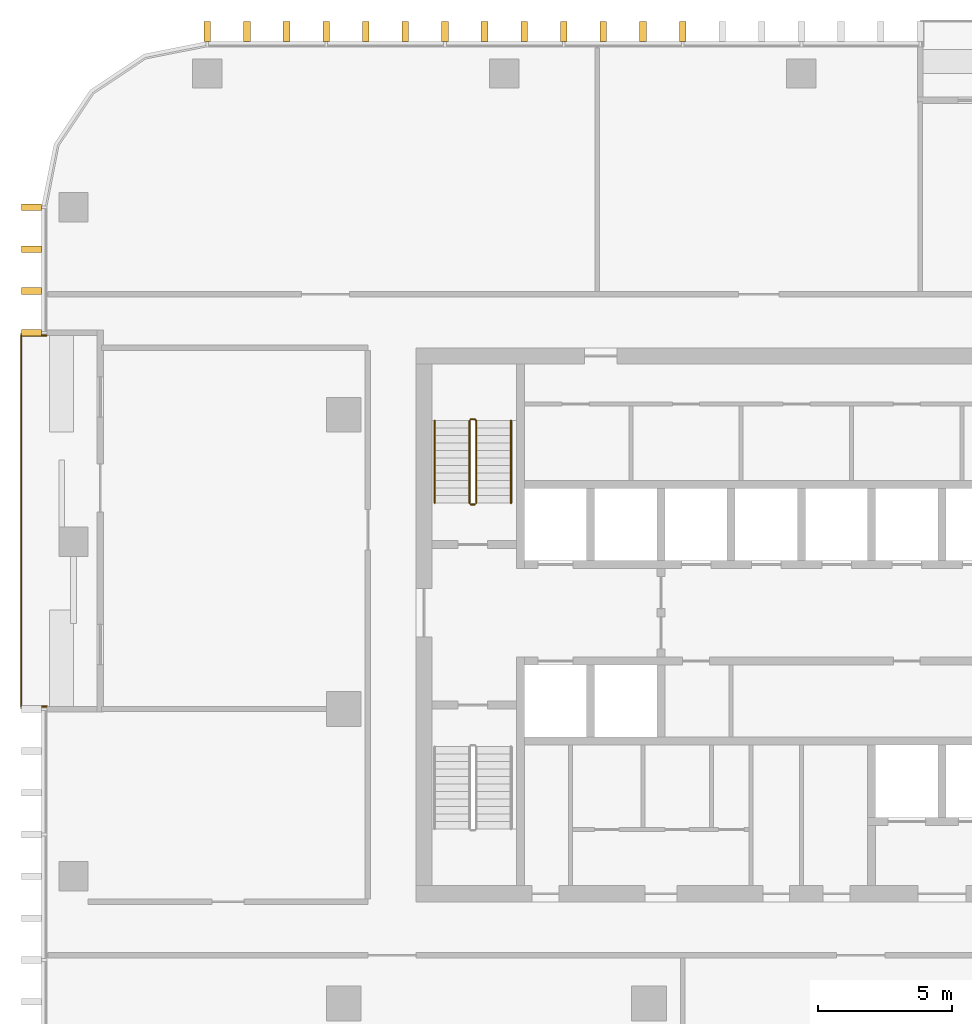
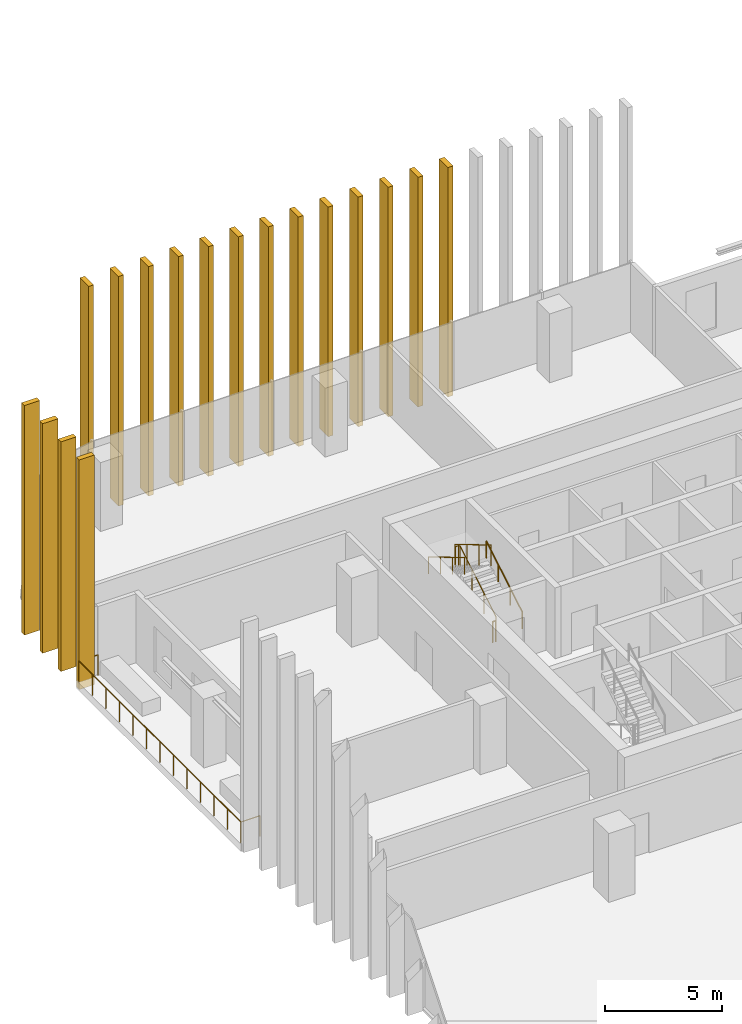
# One storey, part 14 of 16: 17 shading devices, 6 railings.
"""IFC4 building model written with IfcOpenShell, lengths in metres."""

from ifc_helpers import new_model, si_unit, direction, frame, origin, origin_2d, place, context, subcontext, project, spatial, rectangle, circle, extrude, material, type_object, element, save


model = new_model("IFC4")

# Units and contexts
model_context = context("Model", 3, precision=1e-05, world=origin(), true_north=direction((0.0, 1.0)))
body_context = subcontext(model_context, "Body", "Model", "MODEL_VIEW")
ifc_project = project(units=[si_unit("LENGTHUNIT", "METRE"), si_unit("AREAUNIT", "SQUARE_METRE"), si_unit("VOLUMEUNIT", "CUBIC_METRE"), si_unit("PLANEANGLEUNIT", "RADIAN"), si_unit("MASSUNIT", "GRAM", prefix="KILO")], contexts=[model_context])

# Site, building, storey
site_placement = place(None, origin())
site = spatial("IfcSite", under=ifc_project, at=site_placement, CompositionType="ELEMENT")
building_placement = place(site_placement, origin())
building = spatial("IfcBuilding", under=site, at=building_placement, Name="Mopane Tessera Tower", CompositionType="ELEMENT")
storey_placement = place(building_placement, frame((0.0, 0.0, 235.0)))
storey = spatial("IfcBuildingStorey", under=building, at=storey_placement, Name="L50", CompositionType="ELEMENT", Elevation=235.0)

# Shading devices
ifc_material_1 = material(Name="Glazed ceramic tile")
shading_device_type = type_object("IfcShadingDeviceType", Name="Ceramic tile fin 750 x 250 mm", PredefinedType="USERDEFINED", material=ifc_material_1)
for number, where, z_axis, x_axis, name in (
    (1, (-4.43994140625, 25.324951171875, -0.39990234375), (0.0, 0.0, 1.0), (-1.0, 0.0, 0.0), "e:fin:L50:N:6:0"),
    (2, (-5.919921875, 25.324951171875, -0.39990234375), (0.0, 0.0, 1.0), (-1.0, 0.0, 0.0), "e:fin:L50:N:6:1"),
    (3, (-7.39990234375, 25.324951171875, -0.39990234375), (0.0, 0.0, 1.0), (-1.0, 0.0, 0.0), "e:fin:L50:N:6:2"),
    (4, (-8.8798828125, 25.324951171875, -0.39990234375), (0.0, 0.0, 1.0), (-1.0, 0.0, 0.0), "e:fin:L50:N:7:0"),
    (5, (-10.360107421875, 25.324951171875, -0.39990234375), (0.0, 0.0, 1.0), (-1.0, 0.0, 0.0), "e:fin:L50:N:7:1"),
    (6, (-11.840087890625, 25.324951171875, -0.39990234375), (0.0, 0.0, 1.0), (-1.0, 0.0, 0.0), "e:fin:L50:N:7:2"),
    (7, (-13.320068359375, 25.324951171875, -0.39990234375), (0.0, 0.0, 1.0), (-1.0, 0.0, 0.0), "e:fin:L50:N:8:0"),
    (8, (-14.800048828125, 25.324951171875, -0.39990234375), (0.0, 0.0, 1.0), (-1.0, 0.0, 0.0), "e:fin:L50:N:8:1"),
    (9, (-16.280029296875, 25.324951171875, -0.39990234375), (0.0, 0.0, 1.0), (-1.0, 0.0, 0.0), "e:fin:L50:N:8:2"),
    (10, (-17.760009765625, 25.324951171875, -0.39990234375), (0.0, 0.0, 1.0), (-1.0, 0.0, 0.0), "e:fin:L50:N:9:0"),
    (11, (-19.239990234375, 25.324951171875, -0.39990234375), (0.0, 0.0, 1.0), (-1.0, 0.0, 0.0), "e:fin:L50:N:9:1"),
    (12, (-20.719970703125, 25.324951171875, -0.39990234375), (0.0, 0.0, 1.0), (-1.0, 0.0, 0.0), "e:fin:L50:N:9:2"),
    (13, (-22.199951171875, 25.324951171875, -0.39990234375), (0.0, 0.0, 1.0), (-1.0, 0.0, 0.0), "e:fin:L50:N:9:3"),
    (14, (-28.77490234375, 18.75, -0.39990234375), (0.0, 0.0, 1.0), (0.0, -1.0, 0.0), "e:fin:L50:W:0:0"),
    (15, (-28.77490234375, 17.1875, -0.39990234375), (0.0, 0.0, 1.0), (0.0, -1.0, 0.0), "e:fin:L50:W:0:1"),
    (16, (-28.77490234375, 15.625, -0.39990234375), (0.0, 0.0, 1.0), (0.0, -1.0, 0.0), "e:fin:L50:W:0:2"),
    (17, (-28.77490234375, 14.0625, -0.39990234375), (0.0, 0.0, 1.0), (0.0, -1.0, 0.0), "e:fin:L50:W:0:3"),
):
    element("IfcShadingDevice", number, at=place(storey_placement, frame(where, z_axis=z_axis, x_axis=x_axis)), inside=storey, type_object=shading_device_type, Name=name, ObjectType="FIN", PredefinedType="USERDEFINED", context=body_context, shape_type="SweptSolid", body=[
        extrude(rectangle(XDim=0.25, YDim=0.75, at=origin_2d()), origin(), (0.0, 0.0, 1.0), 12.0),
    ])

# Railings
ifc_material_2 = material(Name="Powder-coated steel balustrade", Category="steel")
railing_type_1 = type_object("IfcRailingType", Name="Escape stair guard 1100 mm", PredefinedType="GUARDRAIL", material=ifc_material_2)
railing_1_placement = place(storey_placement, frame((-12.14990234375, 7.699951171875, 0.166748046875)))
element("IfcRailing", 18, at=railing_1_placement, inside=storey, type_object=railing_type_1, Name="L50 ST2 stair guard 1", PredefinedType="GUARDRAIL", context=body_context, shape_type="SweptSolid", body=[
    extrude(circle(Radius=0.02392578125, at=origin_2d()), frame((0.0, 0.0, 1.076171875), z_axis=(0.0, 0.859308565015, 0.511457515432), x_axis=(-1.0, 0.0, 0.0)), (0.0, 0.0, 1.0), 3.58447265625),
    extrude(circle(Radius=0.02392578125, at=origin_2d()), frame((0.0, 3.080078125, 2.9091796875), z_axis=(-0.707106781187, 0.707106781187, 0.0), x_axis=(-0.707106781187, -0.707106781187, 0.0)), (0.0, 0.0, 1.0), 0.07080078125),
    extrude(circle(Radius=0.02392578125, at=origin_2d()), frame((-0.050048828125, 3.130126953125, 2.9091796875), z_axis=(-1.0, 0.0, 0.0), x_axis=(0.0, -1.0, 0.0)), (0.0, 0.0, 1.0), 0.150146484375),
    extrude(circle(Radius=0.02099609375, at=origin_2d()), origin(), (0.0, 0.0, 1.0), 1.052001953125),
    extrude(circle(Radius=0.02099609375, at=origin_2d()), frame((0.0, 1.026611328125, 0.611083984375)), (0.0, 0.0, 1.0), 1.052001953125),
    extrude(circle(Radius=0.02099609375, at=origin_2d()), frame((0.0, 2.053466796875, 1.22216796875)), (0.0, 0.0, 1.0), 1.052001953125),
    extrude(circle(Radius=0.02099609375, at=origin_2d()), frame((0.0, 3.080078125, 1.833251953125)), (0.0, 0.0, 1.0), 1.052001953125),
    extrude(circle(Radius=0.02099609375, at=origin_2d()), frame((-0.050048828125, 3.130126953125, 1.833251953125)), (0.0, 0.0, 1.0), 1.052001953125),
    extrude(circle(Radius=0.02099609375, at=origin_2d()), frame((-0.2001953125, 3.130126953125, 1.833251953125)), (0.0, 0.0, 1.0), 1.052001953125),
])
railing_2_placement = place(storey_placement, frame((-12.39990234375, 10.780029296875, 2.166748046875)))
element("IfcRailing", 19, at=railing_2_placement, inside=storey, type_object=railing_type_1, Name="L50 ST2 stair guard 2", PredefinedType="GUARDRAIL", context=body_context, shape_type="SweptSolid", body=[
    extrude(circle(Radius=0.02392578125, at=origin_2d()), frame((0.0, 0.0, 1.076171875), z_axis=(0.0, -0.859308565015, 0.511457515432), x_axis=(1.0, 0.0, 0.0)), (0.0, 0.0, 1.0), 3.58447265625),
    extrude(circle(Radius=0.02099609375, at=origin_2d()), origin(), (0.0, 0.0, 1.0), 1.052001953125),
    extrude(circle(Radius=0.02099609375, at=origin_2d()), frame((0.0, -1.026611328125, 0.611083984375)), (0.0, 0.0, 1.0), 1.052001953125),
    extrude(circle(Radius=0.02099609375, at=origin_2d()), frame((0.0, -2.053466796875, 1.22216796875)), (0.0, 0.0, 1.0), 1.052001953125),
    extrude(circle(Radius=0.02099609375, at=origin_2d()), frame((0.0, -3.080078125, 1.833251953125)), (0.0, 0.0, 1.0), 1.052001953125),
])
railing_3_placement = place(storey_placement, frame((-12.199951171875, 7.64990234375, 0.0)))
element("IfcRailing", 20, at=railing_3_placement, inside=storey, type_object=railing_type_1, Name="L50 ST2 stair guard 3", PredefinedType="GUARDRAIL", context=body_context, shape_type="SweptSolid", body=[
    extrude(circle(Radius=0.02392578125, at=origin_2d()), frame((0.0, 0.0, 1.076171875), z_axis=(-1.0, 0.0, 0.0), x_axis=(0.0, -1.0, 0.0)), (0.0, 0.0, 1.0), 0.150146484375),
    extrude(circle(Radius=0.02099609375, at=origin_2d()), origin(), (0.0, 0.0, 1.0), 1.052001953125),
    extrude(circle(Radius=0.02099609375, at=origin_2d()), frame((-0.150146484375, 0.0, 0.0)), (0.0, 0.0, 1.0), 1.052001953125),
])
ifc_material_3 = material(Name="Powder-coated steel balustrade", Category="steel")
railing_type_2 = type_object("IfcRailingType", Name="Escape stair handrail 900 mm", PredefinedType="HANDRAIL", material=ifc_material_3)
railing_4_placement = place(storey_placement, frame((-10.85009765625, 7.699951171875, 0.166748046875)))
element("IfcRailing", 21, at=railing_4_placement, inside=storey, type_object=railing_type_2, Name="L50 ST2 stair handrail 1", PredefinedType="HANDRAIL", context=body_context, shape_type="SweptSolid", body=[
    extrude(circle(Radius=0.02392578125, at=origin_2d()), frame((0.0, 0.0, 0.8759765625), z_axis=(0.0, 0.859308565015, 0.511457515432), x_axis=(-1.0, 0.0, 0.0)), (0.0, 0.0, 1.0), 3.58447265625),
    extrude(circle(Radius=0.02099609375, at=origin_2d()), origin(), (0.0, 0.0, 1.0), 0.851806640625),
    extrude(circle(Radius=0.02099609375, at=origin_2d()), frame((0.0, 1.026611328125, 0.611083984375)), (0.0, 0.0, 1.0), 0.851806640625),
    extrude(circle(Radius=0.02099609375, at=origin_2d()), frame((0.0, 2.053466796875, 1.22216796875)), (0.0, 0.0, 1.0), 0.851806640625),
    extrude(circle(Radius=0.02099609375, at=origin_2d()), frame((0.0, 3.080078125, 1.833251953125)), (0.0, 0.0, 1.0), 0.851806640625),
])
railing_5_placement = place(storey_placement, frame((-13.699951171875, 10.780029296875, 2.166748046875)))
element("IfcRailing", 22, at=railing_5_placement, inside=storey, type_object=railing_type_2, Name="L50 ST2 stair handrail 2", PredefinedType="HANDRAIL", context=body_context, shape_type="SweptSolid", body=[
    extrude(circle(Radius=0.02392578125, at=origin_2d()), frame((0.0, 0.0, 0.8759765625), z_axis=(0.0, -0.859308565015, 0.511457515432), x_axis=(1.0, 0.0, 0.0)), (0.0, 0.0, 1.0), 3.58447265625),
    extrude(circle(Radius=0.02099609375, at=origin_2d()), origin(), (0.0, 0.0, 1.0), 0.851806640625),
    extrude(circle(Radius=0.02099609375, at=origin_2d()), frame((0.0, -1.026611328125, 0.611083984375)), (0.0, 0.0, 1.0), 0.851806640625),
    extrude(circle(Radius=0.02099609375, at=origin_2d()), frame((0.0, -2.053466796875, 1.22216796875)), (0.0, 0.0, 1.0), 0.851806640625),
    extrude(circle(Radius=0.02099609375, at=origin_2d()), frame((0.0, -3.080078125, 1.833251953125)), (0.0, 0.0, 1.0), 0.851806640625),
])
ifc_material_4 = material(Name="Stainless steel S316", Category="steel")
railing_type_3 = type_object("IfcRailingType", Name="Terrace guard 1100", PredefinedType="GUARDRAIL", material=ifc_material_4)
railing_6_placement = place(storey_placement, frame((-28.199951171875, 13.96240234375, 0.0)))
element("IfcRailing", 23, at=railing_6_placement, inside=storey, type_object=railing_type_3, Name="e:nw:L50:N3:guard", PredefinedType="GUARDRAIL", context=body_context, shape_type="SweptSolid", body=[
    extrude(circle(Radius=0.02392578125, at=origin_2d()), frame((0.0, 0.0, 1.076171875), z_axis=(-1.0, 0.0, 0.0), x_axis=(0.0, -1.0, 0.0)), (0.0, 0.0, 1.0), 0.949951171875),
    extrude(circle(Radius=0.02392578125, at=origin_2d()), frame((-0.949951171875, 0.0, 1.076171875), z_axis=(0.0, -1.0, 0.0), x_axis=(1.0, 0.0, 0.0)), (0.0, 0.0, 1.0), 13.8623046875),
    extrude(circle(Radius=0.02392578125, at=origin_2d()), frame((-0.949951171875, -13.8623046875, 1.076171875), z_axis=(1.0, 0.0, 0.0), x_axis=(0.0, 1.0, 0.0)), (0.0, 0.0, 1.0), 0.949951171875),
    extrude(circle(Radius=0.02099609375, at=origin_2d()), origin(), (0.0, 0.0, 1.0), 1.052001953125),
    extrude(circle(Radius=0.02099609375, at=origin_2d()), frame((-0.949951171875, 0.0, 0.0)), (0.0, 0.0, 1.0), 1.052001953125),
    extrude(circle(Radius=0.02099609375, at=origin_2d()), frame((-0.949951171875, -1.1552734375, 0.0)), (0.0, 0.0, 1.0), 1.052001953125),
    extrude(circle(Radius=0.02099609375, at=origin_2d()), frame((-0.949951171875, -2.310302734375, 0.0)), (0.0, 0.0, 1.0), 1.052001953125),
    extrude(circle(Radius=0.02099609375, at=origin_2d()), frame((-0.949951171875, -3.465576171875, 0.0)), (0.0, 0.0, 1.0), 1.052001953125),
    extrude(circle(Radius=0.02099609375, at=origin_2d()), frame((-0.949951171875, -4.620849609375, 0.0)), (0.0, 0.0, 1.0), 1.052001953125),
    extrude(circle(Radius=0.02099609375, at=origin_2d()), frame((-0.949951171875, -5.77587890625, 0.0)), (0.0, 0.0, 1.0), 1.052001953125),
    extrude(circle(Radius=0.02099609375, at=origin_2d()), frame((-0.949951171875, -6.93115234375, 0.0)), (0.0, 0.0, 1.0), 1.052001953125),
    extrude(circle(Radius=0.02099609375, at=origin_2d()), frame((-0.949951171875, -8.08642578125, 0.0)), (0.0, 0.0, 1.0), 1.052001953125),
    extrude(circle(Radius=0.02099609375, at=origin_2d()), frame((-0.949951171875, -9.241455078125, 0.0)), (0.0, 0.0, 1.0), 1.052001953125),
    extrude(circle(Radius=0.02099609375, at=origin_2d()), frame((-0.949951171875, -10.396728515625, 0.0)), (0.0, 0.0, 1.0), 1.052001953125),
    extrude(circle(Radius=0.02099609375, at=origin_2d()), frame((-0.949951171875, -11.552001953125, 0.0)), (0.0, 0.0, 1.0), 1.052001953125),
    extrude(circle(Radius=0.02099609375, at=origin_2d()), frame((-0.949951171875, -12.70703125, 0.0)), (0.0, 0.0, 1.0), 1.052001953125),
    extrude(circle(Radius=0.02099609375, at=origin_2d()), frame((-0.949951171875, -13.8623046875, 0.0)), (0.0, 0.0, 1.0), 1.052001953125),
    extrude(circle(Radius=0.02099609375, at=origin_2d()), frame((0.0, -13.8623046875, 0.0)), (0.0, 0.0, 1.0), 1.052001953125),
])

save(model, "model.ifc")
